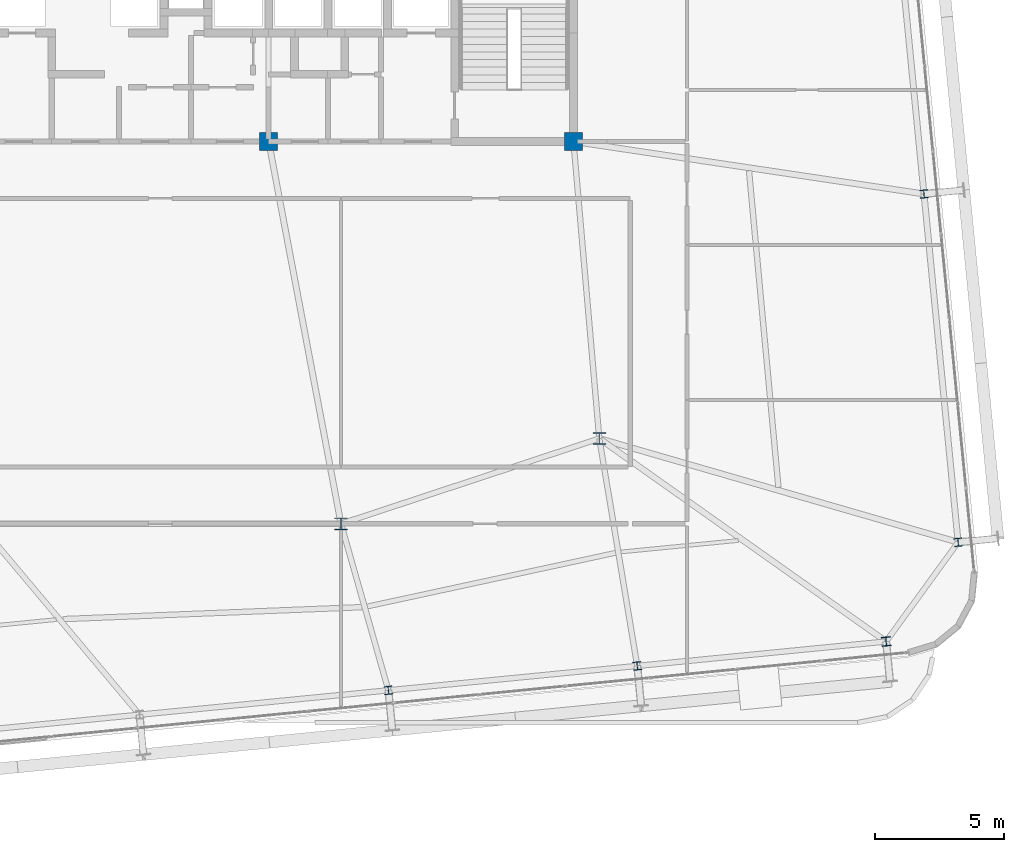
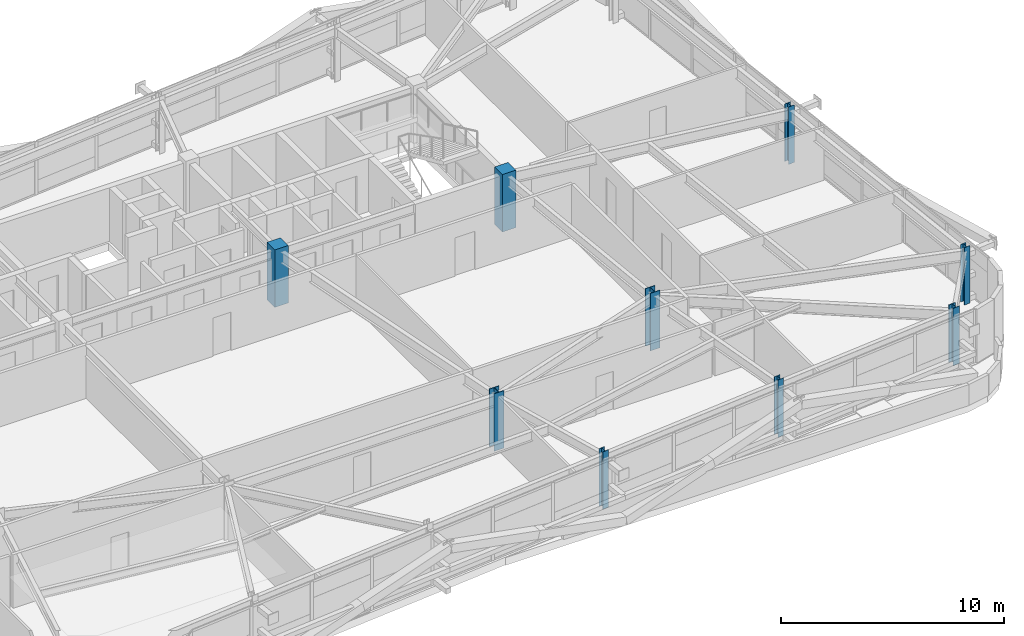
# One storey, part 2 of 51: 9 columns.
"""IFC4 building model written with IfcOpenShell, lengths in metres."""

from ifc_helpers import new_model, si_unit, direction, frame, origin, origin_2d, place, context, subcontext, project, spatial, rectangle, i_section, extrude, source, transform, mapped, material, material_profile, profile_set, type_object, element, save


model = new_model("IFC4")

# Units and contexts
model_context = context("Model", 3, precision=1e-05, world=origin(), true_north=direction((0.0, 1.0)))
body_context = subcontext(model_context, "Body", "Model", "MODEL_VIEW")
ifc_project = project(units=[si_unit("LENGTHUNIT", "METRE"), si_unit("AREAUNIT", "SQUARE_METRE"), si_unit("VOLUMEUNIT", "CUBIC_METRE"), si_unit("PLANEANGLEUNIT", "RADIAN"), si_unit("MASSUNIT", "GRAM", prefix="KILO")], contexts=[model_context])

# Site, building, storey
site_placement = place(None, origin())
site = spatial("IfcSite", under=ifc_project, at=site_placement, CompositionType="ELEMENT")
building_placement = place(site_placement, origin())
building = spatial("IfcBuilding", under=site, at=building_placement, Name="Taldren Reach Tower", CompositionType="ELEMENT")
storey_placement = place(building_placement, frame((0.0, 0.0, 65.10009765625)))
storey = spatial("IfcBuildingStorey", under=building, at=storey_placement, Name="L19", CompositionType="ELEMENT", Elevation=65.10009765625)

# Columns
ifc_material_1 = material(Name="Steel Gr 350 (350PLUS)", Category="steel")
ifc_material_profile_1 = material_profile(ifc_material_1, i_section(OverallWidth=0.5, OverallDepth=0.464111328125, WebThickness=0.02197265625, FlangeThickness=0.033935546875, at=origin_2d()), Name="500WC340")
ifc_profile_set_1 = profile_set([ifc_material_profile_1], Name="Steel Gr 350 (350PLUS)")
column_type_1 = type_object("IfcColumnType", Name="COL-WC500B", PredefinedType="COLUMN", material=ifc_profile_set_1)
shared_shape_1 = source(origin(), body_context, "Body", "SweptSolid", [
    extrude(i_section(OverallWidth=0.5, OverallDepth=0.464111328125, WebThickness=0.02197265625, FlangeThickness=0.033935546875, at=origin_2d()), origin(), (0.0, 0.0, 1.0), 3.14990234375),
])
for number, where, z_axis, x_axis, name in (
    (1, (42.0, 9.199951171875, 0.0), (0.0, 0.0, 1.0), (1.0, 0.0, 0.0), "Mega column MC-PJE L19"),
    (2, (52.0, 12.5, 0.0), (0.0, 0.0, 1.0), (1.0, 0.0, 0.0), "Mega column MC-SE L19"),
):
    element("IfcColumn", number, at=place(storey_placement, frame(where, z_axis=z_axis, x_axis=x_axis)), inside=storey, type_object=column_type_1, Name=name, PredefinedType="COLUMN", context=body_context, shape_type="MappedRepresentation", body=[
        mapped(shared_shape_1, transform((0.0, 0.0, 0.0), scale=1.0)),
    ])
ifc_material_2 = material(Name="Concrete S65 (65 MPa)", Category="concrete")
ifc_material_profile_2 = material_profile(ifc_material_2, rectangle(XDim=0.699951171875, YDim=0.699951171875, at=origin_2d()), Name="RC-700x700")
ifc_profile_set_2 = profile_set([ifc_material_profile_2], Name="Concrete S65 (65 MPa)")
column_type_2 = type_object("IfcColumnType", Name="COL-RC700", PredefinedType="COLUMN", material=ifc_profile_set_2)
shared_shape_2 = source(origin(), body_context, "Body", "SweptSolid", [
    extrude(rectangle(XDim=0.699951171875, YDim=0.699951171875, at=origin_2d()), origin(), (0.0, 0.0, 1.0), 3.14990234375),
])
for number, where, z_axis, x_axis, name in (
    (3, (39.199951171875, 24.0, 0.0), (0.0, 0.0, 1.0), (1.0, 0.0, 0.0), "Mega column MC-C3 L19"),
    (4, (51.0, 24.0, 0.0), (0.0, 0.0, 1.0), (1.0, 0.0, 0.0), "Mega column MC-C4 L19"),
):
    element("IfcColumn", number, at=place(storey_placement, frame(where, z_axis=z_axis, x_axis=x_axis)), inside=storey, type_object=column_type_2, Name=name, PredefinedType="COLUMN", context=body_context, shape_type="MappedRepresentation", body=[
        mapped(shared_shape_2, transform((0.0, 0.0, 0.0), scale=1.0)),
    ])
ifc_material_profile_3 = material_profile(ifc_material_1, i_section(OverallWidth=0.35009765625, OverallDepth=0.35595703125, WebThickness=0.01806640625, FlangeThickness=0.028076171875, at=origin_2d()), Name="350WC197")
ifc_profile_set_3 = profile_set([ifc_material_profile_3], Name="Steel Gr 350 (350PLUS)")
column_type_3 = type_object("IfcColumnType", Name="COL-WC350", PredefinedType="COLUMN", material=ifc_profile_set_3)
shared_shape_3 = source(origin(), body_context, "Body", "SweptSolid", [
    extrude(i_section(OverallWidth=0.35009765625, OverallDepth=0.35595703125, WebThickness=0.01806640625, FlangeThickness=0.028076171875, at=origin_2d()), origin(), (0.0, 0.0, 1.0), 3.14990234375),
])
column_placement = place(storey_placement, frame((63.103271484375, 4.64306640625, 0.0), z_axis=(0.0, 0.0, 1.0), x_axis=(0.995227399982, 0.097582899759, 0.0)))
element("IfcColumn", 5, at=column_placement, inside=storey, type_object=column_type_3, Name="Block B2 perimeter column S6 L19", PredefinedType="COLUMN", context=body_context, shape_type="MappedRepresentation", body=[
    mapped(shared_shape_3, transform((0.0, 0.0, 0.0), scale=1.0)),
])
ifc_material_profile_4 = material_profile(ifc_material_1, i_section(OverallWidth=0.306884765625, OverallDepth=0.31494140625, WebThickness=0.011962890625, FlangeThickness=0.018798828125, at=origin_2d()), Name="310UC118")
ifc_profile_set_4 = profile_set([ifc_material_profile_4], Name="Steel Gr 350 (350PLUS)")
column_type_4 = type_object("IfcColumnType", Name="COL-UC310B", PredefinedType="COLUMN", material=ifc_profile_set_4)
shared_shape_4 = source(origin(), body_context, "Body", "SweptSolid", [
    extrude(i_section(OverallWidth=0.306884765625, OverallDepth=0.31494140625, WebThickness=0.011962890625, FlangeThickness=0.018798828125, at=origin_2d()), origin(), (0.0, 0.0, 1.0), 3.14990234375),
])
for number, where, z_axis, x_axis, name in (
    (6, (43.83544921875, 2.75390625, 0.0), (0.0, 0.0, 1.0), (0.995227399982, 0.097582899759, 0.0), "Block B2 perimeter column S4 L19"),
    (7, (53.469482421875, 3.698486328125, 0.0), (0.0, 0.0, 1.0), (0.995227399982, 0.097582899759, 0.0), "Block B2 perimeter column S5 L19"),
    (8, (65.8916015625, 8.483642578125, 0.0), (0.0, 0.0, 1.0), (0.995227399982, 0.097582899759, 0.0), "Block B2 perimeter column E1 L19"),
    (9, (64.569580078125, 21.968994140625, 0.0), (0.0, 0.0, 1.0), (0.995227399982, 0.097582899759, 0.0), "Block B2 perimeter column E2 L19"),
):
    element("IfcColumn", number, at=place(storey_placement, frame(where, z_axis=z_axis, x_axis=x_axis)), inside=storey, type_object=column_type_4, Name=name, PredefinedType="COLUMN", context=body_context, shape_type="MappedRepresentation", body=[
        mapped(shared_shape_4, transform((0.0, 0.0, 0.0), scale=1.0)),
    ])

save(model, "model.ifc")
